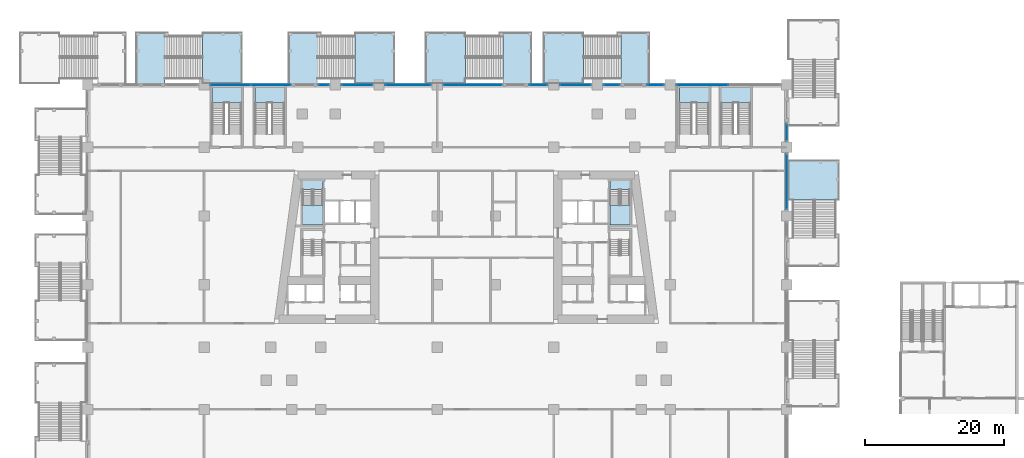
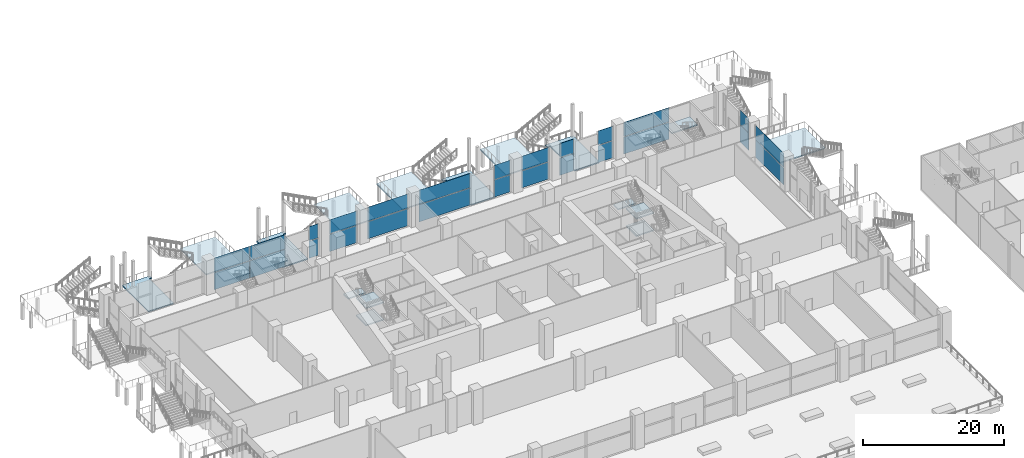
# One storey, part 17 of 47: 26 plates, 19 slabs, 23 elements without a shape of their own.
"""IFC4 building model written with IfcOpenShell, lengths in metres."""

from ifc_helpers import new_model, si_unit, direction, frame, origin, origin_2d, place, context, subcontext, project, spatial, polyline, rectangle, outline, extrude, material, layer, layer_set, type_object, element, aggregate, save


model = new_model("IFC4")

# Units and contexts
model_context = context("Model", 3, precision=1e-05, world=origin(), true_north=direction((0.0, 1.0)))
body_context = subcontext(model_context, "Body", "Model", "MODEL_VIEW")
ifc_project = project(units=[si_unit("LENGTHUNIT", "METRE"), si_unit("AREAUNIT", "SQUARE_METRE"), si_unit("VOLUMEUNIT", "CUBIC_METRE"), si_unit("PLANEANGLEUNIT", "RADIAN"), si_unit("MASSUNIT", "GRAM", prefix="KILO")], contexts=[model_context])

# Site, building, storey
site_placement = place(None, origin())
site = spatial("IfcSite", under=ifc_project, at=site_placement, CompositionType="ELEMENT")
building_placement = place(site_placement, origin())
building = spatial("IfcBuilding", under=site, at=building_placement, Name="Candeia Pilgrim Tower and Theatre", CompositionType="ELEMENT")
storey_placement = place(building_placement, frame((0.0, 0.0, 23.0)))
storey = spatial("IfcBuildingStorey", under=building, at=storey_placement, Name="L03", CompositionType="ELEMENT", Elevation=23.0)

# Curtain wall, plates
ifc_material_1 = material(Name="Aluminium framed podium glazing", Category="aluminium")
curtain_wall_type = type_object("IfcCurtainWallType", Name="CW-P curtain wall", PredefinedType="NOTDEFINED", material=ifc_material_1)
curtain_wall_1_placement = place(storey_placement, origin())
curtain_wall_1 = element("IfcCurtainWall", 1, at=curtain_wall_1_placement, inside=storey, type_object=curtain_wall_type, Name="Curtain wall CW-P L03.110", PredefinedType="NOTDEFINED")
ifc_material_2 = material(Name="Laminated low-iron glass 2 x 8 mm", Category="glass")
ifc_layer_1 = layer(ifc_material_2, 0.035888671875)
ifc_layer_set_1 = layer_set([ifc_layer_1], Name="CW-P glass panel 36")
plate_type = type_object("IfcPlateType", Name="CW-P glass panel 36", PredefinedType="CURTAIN_PANEL", material=ifc_layer_set_1)
plate_1_placement = place(storey_placement, frame((79.41259765625, 144.800048828125, 0.0), z_axis=(0.0, 0.0, 1.0), x_axis=(1.0, 0.0, 0.0)))
plate_1 = element("IfcPlate", 2, at=plate_1_placement, type_object=plate_type, Name="CW-P panel 1.1", PredefinedType="CURTAIN_PANEL", context=body_context, shape_type="SweptSolid", body=[
    extrude(rectangle(XDim=5.7451171875, YDim=0.035888671875, at=origin_2d()), origin(), (0.0, 0.0, 1.0), 2.9599609375),
])
plate_2_placement = place(storey_placement, frame((79.41259765625, 144.800048828125, 3.0400390625), z_axis=(0.0, 0.0, 1.0), x_axis=(1.0, 0.0, 0.0)))
plate_2 = element("IfcPlate", 3, at=plate_2_placement, type_object=plate_type, Name="CW-P panel 1.2", PredefinedType="CURTAIN_PANEL", context=body_context, shape_type="SweptSolid", body=[
    extrude(rectangle(XDim=5.7451171875, YDim=0.035888671875, at=origin_2d()), origin(), (0.0, 0.0, 1.0), 2.4599609375),
])
plate_3_placement = place(storey_placement, frame((85.237548828125, 144.800048828125, 0.0), z_axis=(0.0, 0.0, 1.0), x_axis=(1.0, 0.0, 0.0)))
plate_3 = element("IfcPlate", 4, at=plate_3_placement, type_object=plate_type, Name="CW-P panel 2.1", PredefinedType="CURTAIN_PANEL", context=body_context, shape_type="SweptSolid", body=[
    extrude(rectangle(XDim=5.7451171875, YDim=0.035888671875, at=origin_2d()), origin(), (0.0, 0.0, 1.0), 2.9599609375),
])
plate_4_placement = place(storey_placement, frame((85.237548828125, 144.800048828125, 3.0400390625), z_axis=(0.0, 0.0, 1.0), x_axis=(1.0, 0.0, 0.0)))
plate_4 = element("IfcPlate", 5, at=plate_4_placement, type_object=plate_type, Name="CW-P panel 2.2", PredefinedType="CURTAIN_PANEL", context=body_context, shape_type="SweptSolid", body=[
    extrude(rectangle(XDim=5.7451171875, YDim=0.035888671875, at=origin_2d()), origin(), (0.0, 0.0, 1.0), 2.4599609375),
])
aggregate(curtain_wall_1, [plate_1, plate_2, plate_3, plate_4])

curtain_wall_2_placement = place(storey_placement, origin())
curtain_wall_2 = element("IfcCurtainWall", 6, at=curtain_wall_2_placement, inside=storey, type_object=curtain_wall_type, Name="Curtain wall CW-P L03.111", PredefinedType="NOTDEFINED")
plate_5_placement = place(storey_placement, frame((92.824951171875, 144.800048828125, 0.0), z_axis=(0.0, 0.0, 1.0), x_axis=(1.0, 0.0, 0.0)))
plate_5 = element("IfcPlate", 7, at=plate_5_placement, type_object=plate_type, Name="CW-P panel 1.1", PredefinedType="CURTAIN_PANEL", context=body_context, shape_type="SweptSolid", body=[
    extrude(rectangle(XDim=1.469970703125, YDim=0.035888671875, at=origin_2d()), origin(), (0.0, 0.0, 1.0), 2.9599609375),
])
plate_6_placement = place(storey_placement, frame((92.824951171875, 144.800048828125, 3.0400390625), z_axis=(0.0, 0.0, 1.0), x_axis=(1.0, 0.0, 0.0)))
plate_6 = element("IfcPlate", 8, at=plate_6_placement, type_object=plate_type, Name="CW-P panel 1.2", PredefinedType="CURTAIN_PANEL", context=body_context, shape_type="SweptSolid", body=[
    extrude(rectangle(XDim=1.469970703125, YDim=0.035888671875, at=origin_2d()), origin(), (0.0, 0.0, 1.0), 2.4599609375),
])
aggregate(curtain_wall_2, [plate_5, plate_6])

curtain_wall_3_placement = place(storey_placement, origin())
curtain_wall_3 = element("IfcCurtainWall", 9, at=curtain_wall_3_placement, inside=storey, type_object=curtain_wall_type, Name="Curtain wall CW-P L03.120", PredefinedType="NOTDEFINED")
plate_7_placement = place(storey_placement, frame((97.64990234375, 144.800048828125, 0.0), z_axis=(0.0, 0.0, 1.0), x_axis=(1.0, 0.0, 0.0)))
plate_7 = element("IfcPlate", 10, at=plate_7_placement, type_object=plate_type, Name="CW-P panel 1.1", PredefinedType="CURTAIN_PANEL", context=body_context, shape_type="SweptSolid", body=[
    extrude(rectangle(XDim=4.419921875, YDim=0.035888671875, at=origin_2d()), origin(), (0.0, 0.0, 1.0), 2.9599609375),
])
plate_8_placement = place(storey_placement, frame((97.64990234375, 144.800048828125, 3.0400390625), z_axis=(0.0, 0.0, 1.0), x_axis=(1.0, 0.0, 0.0)))
plate_8 = element("IfcPlate", 11, at=plate_8_placement, type_object=plate_type, Name="CW-P panel 1.2", PredefinedType="CURTAIN_PANEL", context=body_context, shape_type="SweptSolid", body=[
    extrude(rectangle(XDim=4.419921875, YDim=0.035888671875, at=origin_2d()), origin(), (0.0, 0.0, 1.0), 2.4599609375),
])
aggregate(curtain_wall_3, [plate_7, plate_8])

curtain_wall_4_placement = place(storey_placement, origin())
curtain_wall_4 = element("IfcCurtainWall", 12, at=curtain_wall_4_placement, inside=storey, type_object=curtain_wall_type, Name="Curtain wall CW-P L03.130", PredefinedType="NOTDEFINED")
plate_9_placement = place(storey_placement, frame((105.0, 144.800048828125, 0.0), z_axis=(0.0, 0.0, 1.0), x_axis=(1.0, 0.0, 0.0)))
plate_9 = element("IfcPlate", 13, at=plate_9_placement, type_object=plate_type, Name="CW-P panel 1.1", PredefinedType="CURTAIN_PANEL", context=body_context, shape_type="SweptSolid", body=[
    extrude(rectangle(XDim=6.52001953125, YDim=0.035888671875, at=origin_2d()), origin(), (0.0, 0.0, 1.0), 2.9599609375),
])
plate_10_placement = place(storey_placement, frame((105.0, 144.800048828125, 3.0400390625), z_axis=(0.0, 0.0, 1.0), x_axis=(1.0, 0.0, 0.0)))
plate_10 = element("IfcPlate", 14, at=plate_10_placement, type_object=plate_type, Name="CW-P panel 1.2", PredefinedType="CURTAIN_PANEL", context=body_context, shape_type="SweptSolid", body=[
    extrude(rectangle(XDim=6.52001953125, YDim=0.035888671875, at=origin_2d()), origin(), (0.0, 0.0, 1.0), 2.4599609375),
])
aggregate(curtain_wall_4, [plate_9, plate_10])

curtain_wall_5_placement = place(storey_placement, origin())
curtain_wall_5 = element("IfcCurtainWall", 15, at=curtain_wall_5_placement, inside=storey, type_object=curtain_wall_type, Name="Curtain wall CW-P L03.140", PredefinedType="NOTDEFINED")
plate_11_placement = place(storey_placement, frame((114.324951171875, 144.800048828125, 0.0), z_axis=(0.0, 0.0, 1.0), x_axis=(1.0, 0.0, 0.0)))
plate_11 = element("IfcPlate", 16, at=plate_11_placement, type_object=plate_type, Name="CW-P panel 1.1", PredefinedType="CURTAIN_PANEL", context=body_context, shape_type="SweptSolid", body=[
    extrude(rectangle(XDim=8.3701171875, YDim=0.035888671875, at=origin_2d()), origin(), (0.0, 0.0, 1.0), 2.9599609375),
])
plate_12_placement = place(storey_placement, frame((114.324951171875, 144.800048828125, 3.0400390625), z_axis=(0.0, 0.0, 1.0), x_axis=(1.0, 0.0, 0.0)))
plate_12 = element("IfcPlate", 17, at=plate_12_placement, type_object=plate_type, Name="CW-P panel 1.2", PredefinedType="CURTAIN_PANEL", context=body_context, shape_type="SweptSolid", body=[
    extrude(rectangle(XDim=8.3701171875, YDim=0.035888671875, at=origin_2d()), origin(), (0.0, 0.0, 1.0), 2.4599609375),
])
aggregate(curtain_wall_5, [plate_11, plate_12])

curtain_wall_6_placement = place(storey_placement, origin())
curtain_wall_6 = element("IfcCurtainWall", 18, at=curtain_wall_6_placement, inside=storey, type_object=curtain_wall_type, Name="Curtain wall CW-P L03.141", PredefinedType="NOTDEFINED")
plate_13_placement = place(storey_placement, frame((123.77490234375, 144.800048828125, 0.0), z_axis=(0.0, 0.0, 1.0), x_axis=(1.0, 0.0, 0.0)))
plate_13 = element("IfcPlate", 19, at=plate_13_placement, type_object=plate_type, Name="CW-P panel 1.1", PredefinedType="CURTAIN_PANEL", context=body_context, shape_type="SweptSolid", body=[
    extrude(rectangle(XDim=2.570068359375, YDim=0.035888671875, at=origin_2d()), origin(), (0.0, 0.0, 1.0), 2.9599609375),
])
plate_14_placement = place(storey_placement, frame((123.77490234375, 144.800048828125, 3.0400390625), z_axis=(0.0, 0.0, 1.0), x_axis=(1.0, 0.0, 0.0)))
plate_14 = element("IfcPlate", 20, at=plate_14_placement, type_object=plate_type, Name="CW-P panel 1.2", PredefinedType="CURTAIN_PANEL", context=body_context, shape_type="SweptSolid", body=[
    extrude(rectangle(XDim=2.570068359375, YDim=0.035888671875, at=origin_2d()), origin(), (0.0, 0.0, 1.0), 2.4599609375),
])
aggregate(curtain_wall_6, [plate_13, plate_14])

curtain_wall_7_placement = place(storey_placement, origin())
curtain_wall_7 = element("IfcCurtainWall", 21, at=curtain_wall_7_placement, inside=storey, type_object=curtain_wall_type, Name="Curtain wall CW-P L03.150", PredefinedType="NOTDEFINED")
plate_15_placement = place(storey_placement, frame((129.14990234375, 144.800048828125, 0.0), z_axis=(0.0, 0.0, 1.0), x_axis=(1.0, 0.0, 0.0)))
plate_15 = element("IfcPlate", 22, at=plate_15_placement, type_object=plate_type, Name="CW-P panel 1.1", PredefinedType="CURTAIN_PANEL", context=body_context, shape_type="SweptSolid", body=[
    extrude(rectangle(XDim=4.419921875, YDim=0.035888671875, at=origin_2d()), origin(), (0.0, 0.0, 1.0), 2.9599609375),
])
plate_16_placement = place(storey_placement, frame((129.14990234375, 144.800048828125, 3.0400390625), z_axis=(0.0, 0.0, 1.0), x_axis=(1.0, 0.0, 0.0)))
plate_16 = element("IfcPlate", 23, at=plate_16_placement, type_object=plate_type, Name="CW-P panel 1.2", PredefinedType="CURTAIN_PANEL", context=body_context, shape_type="SweptSolid", body=[
    extrude(rectangle(XDim=4.419921875, YDim=0.035888671875, at=origin_2d()), origin(), (0.0, 0.0, 1.0), 2.4599609375),
])
aggregate(curtain_wall_7, [plate_15, plate_16])

curtain_wall_8_placement = place(storey_placement, origin())
curtain_wall_8 = element("IfcCurtainWall", 24, at=curtain_wall_8_placement, inside=storey, type_object=curtain_wall_type, Name="Curtain wall CW-P L03.160", PredefinedType="NOTDEFINED")
plate_17_placement = place(storey_placement, frame((134.375, 144.800048828125, 0.0), z_axis=(0.0, 0.0, 1.0), x_axis=(1.0, 0.0, 0.0)))
plate_17 = element("IfcPlate", 25, at=plate_17_placement, type_object=plate_type, Name="CW-P panel 1.1", PredefinedType="CURTAIN_PANEL", context=body_context, shape_type="SweptSolid", body=[
    extrude(rectangle(XDim=2.27001953125, YDim=0.035888671875, at=origin_2d()), origin(), (0.0, 0.0, 1.0), 2.9599609375),
])
plate_18_placement = place(storey_placement, frame((134.375, 144.800048828125, 3.0400390625), z_axis=(0.0, 0.0, 1.0), x_axis=(1.0, 0.0, 0.0)))
plate_18 = element("IfcPlate", 26, at=plate_18_placement, type_object=plate_type, Name="CW-P panel 1.2", PredefinedType="CURTAIN_PANEL", context=body_context, shape_type="SweptSolid", body=[
    extrude(rectangle(XDim=2.27001953125, YDim=0.035888671875, at=origin_2d()), origin(), (0.0, 0.0, 1.0), 2.4599609375),
])
aggregate(curtain_wall_8, [plate_17, plate_18])

curtain_wall_9_placement = place(storey_placement, origin())
curtain_wall_9 = element("IfcCurtainWall", 27, at=curtain_wall_9_placement, inside=storey, type_object=curtain_wall_type, Name="Curtain wall CW-P L03.161", PredefinedType="NOTDEFINED")
plate_19_placement = place(storey_placement, frame((140.675048828125, 144.800048828125, 0.0), z_axis=(0.0, 0.0, 1.0), x_axis=(1.0, 0.0, 0.0)))
plate_19 = element("IfcPlate", 28, at=plate_19_placement, type_object=plate_type, Name="CW-P panel 1.1", PredefinedType="CURTAIN_PANEL", context=body_context, shape_type="SweptSolid", body=[
    extrude(rectangle(XDim=2.3701171875, YDim=0.035888671875, at=origin_2d()), origin(), (0.0, 0.0, 1.0), 2.9599609375),
])
plate_20_placement = place(storey_placement, frame((140.675048828125, 144.800048828125, 3.0400390625), z_axis=(0.0, 0.0, 1.0), x_axis=(1.0, 0.0, 0.0)))
plate_20 = element("IfcPlate", 29, at=plate_20_placement, type_object=plate_type, Name="CW-P panel 1.2", PredefinedType="CURTAIN_PANEL", context=body_context, shape_type="SweptSolid", body=[
    extrude(rectangle(XDim=2.3701171875, YDim=0.035888671875, at=origin_2d()), origin(), (0.0, 0.0, 1.0), 2.4599609375),
])
aggregate(curtain_wall_9, [plate_19, plate_20])

curtain_wall_10_placement = place(storey_placement, origin())
curtain_wall_10 = element("IfcCurtainWall", 30, at=curtain_wall_10_placement, inside=storey, type_object=curtain_wall_type, Name="Curtain wall CW-P L03.170", PredefinedType="NOTDEFINED")
plate_21_placement = place(storey_placement, frame((147.449951171875, 144.800048828125, 0.0), z_axis=(0.0, 0.0, 1.0), x_axis=(1.0, 0.0, 0.0)))
plate_21 = element("IfcPlate", 31, at=plate_21_placement, type_object=plate_type, Name="CW-P panel 1.1", PredefinedType="CURTAIN_PANEL", context=body_context, shape_type="SweptSolid", body=[
    extrude(rectangle(XDim=7.419921875, YDim=0.035888671875, at=origin_2d()), origin(), (0.0, 0.0, 1.0), 2.9599609375),
])
plate_22_placement = place(storey_placement, frame((147.449951171875, 144.800048828125, 3.0400390625), z_axis=(0.0, 0.0, 1.0), x_axis=(1.0, 0.0, 0.0)))
plate_22 = element("IfcPlate", 32, at=plate_22_placement, type_object=plate_type, Name="CW-P panel 1.2", PredefinedType="CURTAIN_PANEL", context=body_context, shape_type="SweptSolid", body=[
    extrude(rectangle(XDim=7.419921875, YDim=0.035888671875, at=origin_2d()), origin(), (0.0, 0.0, 1.0), 2.4599609375),
])
aggregate(curtain_wall_10, [plate_21, plate_22])

curtain_wall_11_placement = place(storey_placement, origin())
curtain_wall_11 = element("IfcCurtainWall", 33, at=curtain_wall_11_placement, inside=storey, type_object=curtain_wall_type, Name="Curtain wall CW-P L03.201", PredefinedType="NOTDEFINED")
plate_23_placement = place(storey_placement, frame((159.60009765625, 137.97509765625, 0.0), z_axis=(0.0, 0.0, 1.0), x_axis=(0.0, -1.0, 0.0)))
plate_23 = element("IfcPlate", 34, at=plate_23_placement, type_object=plate_type, Name="CW-P panel 1.1", PredefinedType="CURTAIN_PANEL", context=body_context, shape_type="SweptSolid", body=[
    extrude(rectangle(XDim=2.469970703125, YDim=0.035888671875, at=origin_2d()), origin(), (0.0, 0.0, 1.0), 2.9599609375),
])
plate_24_placement = place(storey_placement, frame((159.60009765625, 137.97509765625, 3.0400390625), z_axis=(0.0, 0.0, 1.0), x_axis=(0.0, -1.0, 0.0)))
plate_24 = element("IfcPlate", 35, at=plate_24_placement, type_object=plate_type, Name="CW-P panel 1.2", PredefinedType="CURTAIN_PANEL", context=body_context, shape_type="SweptSolid", body=[
    extrude(rectangle(XDim=2.469970703125, YDim=0.035888671875, at=origin_2d()), origin(), (0.0, 0.0, 1.0), 2.4599609375),
])
aggregate(curtain_wall_11, [plate_23, plate_24])

curtain_wall_12_placement = place(storey_placement, origin())
curtain_wall_12 = element("IfcCurtainWall", 36, at=curtain_wall_12_placement, inside=storey, type_object=curtain_wall_type, Name="Curtain wall CW-P L03.210", PredefinedType="NOTDEFINED")
plate_25_placement = place(storey_placement, frame((159.60009765625, 130.85009765625, 0.0), z_axis=(0.0, 0.0, 1.0), x_axis=(0.0, -1.0, 0.0)))
plate_25 = element("IfcPlate", 37, at=plate_25_placement, type_object=plate_type, Name="CW-P panel 1.1", PredefinedType="CURTAIN_PANEL", context=body_context, shape_type="SweptSolid", body=[
    extrude(rectangle(XDim=8.02001953125, YDim=0.035888671875, at=origin_2d()), origin(), (0.0, 0.0, 1.0), 2.9599609375),
])
plate_26_placement = place(storey_placement, frame((159.60009765625, 130.85009765625, 3.0400390625), z_axis=(0.0, 0.0, 1.0), x_axis=(0.0, -1.0, 0.0)))
plate_26 = element("IfcPlate", 38, at=plate_26_placement, type_object=plate_type, Name="CW-P panel 1.2", PredefinedType="CURTAIN_PANEL", context=body_context, shape_type="SweptSolid", body=[
    extrude(rectangle(XDim=8.02001953125, YDim=0.035888671875, at=origin_2d()), origin(), (0.0, 0.0, 1.0), 2.4599609375),
])
aggregate(curtain_wall_12, [plate_25, plate_26])

# Slab
ifc_material_3 = material(Name="Concrete C40/50", Category="concrete")
ifc_layer_2 = layer(ifc_material_3, 0.199951171875)
ifc_layer_set_2 = layer_set([ifc_layer_2], Name="SL-EXT stair landing")
slab_type_1 = type_object("IfcSlabType", Name="SL-EXT stair landing", PredefinedType="LANDING", material=ifc_layer_set_2)
slab_1_placement = place(storey_placement, frame((0.0, 0.0, -0.199951171875)))
element("IfcSlab", 39, at=slab_1_placement, inside=storey, type_object=slab_type_1, Name="L03 External escape stair ES4 floor landing", PredefinedType="LANDING", context=body_context, shape_type="SweptSolid", body=[
    extrude(outline(polyline([(65.800048828125, 144.85009765625), (69.919921875, 144.85009765625), (69.919921875, 151.85009765625), (70.39990234375, 151.85009765625), (70.39990234375, 152.35009765625), (65.800048828125, 152.35009765625), (65.800048828125, 144.85009765625)])), origin(), (0.0, 0.0, 1.0), 0.199951171875),
])

# Stair, slab
stair_type_1 = type_object("IfcStairType", Name="ST-EXT external escape stair", PredefinedType="HALF_TURN_STAIR", material=ifc_material_3)
stair_1_placement = place(storey_placement, origin())
stair_1 = element("IfcStair", 40, at=stair_1_placement, inside=storey, type_object=stair_type_1, Name="L03 External escape stair ES4", PredefinedType="HALF_TURN_STAIR")
slab_2_placement = place(storey_placement, frame((0.0, 0.0, 2.800048828125)))
slab_2 = element("IfcSlab", 41, at=slab_2_placement, type_object=slab_type_1, Name="L03 External escape stair ES4 landing", PredefinedType="LANDING", context=body_context, shape_type="SweptSolid", body=[
    extrude(outline(polyline([(75.320068359375, 145.0), (81.06005859375, 145.0), (81.06005859375, 152.35009765625), (75.320068359375, 152.35009765625), (75.320068359375, 145.0)])), origin(), (0.0, 0.0, 1.0), 0.199951171875),
])
aggregate(stair_1, [slab_2])

# Slab
slab_3_placement = place(storey_placement, frame((0.0, 0.0, -0.199951171875)))
element("IfcSlab", 42, at=slab_3_placement, inside=storey, type_object=slab_type_1, Name="L03 External escape stair ES5 floor landing", PredefinedType="LANDING", context=body_context, shape_type="SweptSolid", body=[
    extrude(outline(polyline([(87.800048828125, 144.85009765625), (91.919921875, 144.85009765625), (91.919921875, 151.85009765625), (92.39990234375, 151.85009765625), (92.39990234375, 152.35009765625), (87.800048828125, 152.35009765625), (87.800048828125, 144.85009765625)])), origin(), (0.0, 0.0, 1.0), 0.199951171875),
])

# Stair, slab
stair_2_placement = place(storey_placement, origin())
stair_2 = element("IfcStair", 43, at=stair_2_placement, inside=storey, type_object=stair_type_1, Name="L03 External escape stair ES5", PredefinedType="HALF_TURN_STAIR")
slab_4_placement = place(storey_placement, frame((0.0, 0.0, 2.800048828125)))
slab_4 = element("IfcSlab", 44, at=slab_4_placement, type_object=slab_type_1, Name="L03 External escape stair ES5 landing", PredefinedType="LANDING", context=body_context, shape_type="SweptSolid", body=[
    extrude(outline(polyline([(97.320068359375, 145.0), (103.06005859375, 145.0), (103.06005859375, 152.35009765625), (97.320068359375, 152.35009765625), (97.320068359375, 145.0)])), origin(), (0.0, 0.0, 1.0), 0.199951171875),
])
aggregate(stair_2, [slab_4])

# Slab
slab_5_placement = place(storey_placement, frame((0.0, 0.0, -0.199951171875)))
element("IfcSlab", 45, at=slab_5_placement, inside=storey, type_object=slab_type_1, Name="L03 External escape stair ES6 floor landing", PredefinedType="LANDING", context=body_context, shape_type="SweptSolid", body=[
    extrude(outline(polyline([(122.800048828125, 144.85009765625), (118.679931640625, 144.85009765625), (118.679931640625, 151.85009765625), (118.199951171875, 151.85009765625), (118.199951171875, 152.35009765625), (122.800048828125, 152.35009765625), (122.800048828125, 144.85009765625)])), origin(), (0.0, 0.0, 1.0), 0.199951171875),
])

# Stair, slab
stair_3_placement = place(storey_placement, origin())
stair_3 = element("IfcStair", 46, at=stair_3_placement, inside=storey, type_object=stair_type_1, Name="L03 External escape stair ES6", PredefinedType="HALF_TURN_STAIR")
slab_6_placement = place(storey_placement, frame((0.0, 0.0, 2.800048828125)))
slab_6 = element("IfcSlab", 47, at=slab_6_placement, type_object=slab_type_1, Name="L03 External escape stair ES6 landing", PredefinedType="LANDING", context=body_context, shape_type="SweptSolid", body=[
    extrude(outline(polyline([(113.280029296875, 145.0), (107.5400390625, 145.0), (107.5400390625, 152.35009765625), (113.280029296875, 152.35009765625), (113.280029296875, 145.0)])), origin(), (0.0, 0.0, 1.0), 0.199951171875),
])
aggregate(stair_3, [slab_6])

# Slab
slab_7_placement = place(storey_placement, frame((0.0, 0.0, -0.199951171875)))
element("IfcSlab", 48, at=slab_7_placement, inside=storey, type_object=slab_type_1, Name="L03 External escape stair ES7 floor landing", PredefinedType="LANDING", context=body_context, shape_type="SweptSolid", body=[
    extrude(outline(polyline([(139.800048828125, 144.85009765625), (135.679931640625, 144.85009765625), (135.679931640625, 151.85009765625), (135.199951171875, 151.85009765625), (135.199951171875, 152.35009765625), (139.800048828125, 152.35009765625), (139.800048828125, 144.85009765625)])), origin(), (0.0, 0.0, 1.0), 0.199951171875),
])

# Stair, slab
stair_4_placement = place(storey_placement, origin())
stair_4 = element("IfcStair", 49, at=stair_4_placement, inside=storey, type_object=stair_type_1, Name="L03 External escape stair ES7", PredefinedType="HALF_TURN_STAIR")
slab_8_placement = place(storey_placement, frame((0.0, 0.0, 2.800048828125)))
slab_8 = element("IfcSlab", 50, at=slab_8_placement, type_object=slab_type_1, Name="L03 External escape stair ES7 landing", PredefinedType="LANDING", context=body_context, shape_type="SweptSolid", body=[
    extrude(outline(polyline([(130.280029296875, 145.0), (124.5400390625, 145.0), (124.5400390625, 152.35009765625), (130.280029296875, 152.35009765625), (130.280029296875, 145.0)])), origin(), (0.0, 0.0, 1.0), 0.199951171875),
])
aggregate(stair_4, [slab_8])

stair_5_placement = place(storey_placement, origin())
stair_5 = element("IfcStair", 51, at=stair_5_placement, inside=storey, type_object=stair_type_1, Name="L03 External escape stair ES14", PredefinedType="HALF_TURN_STAIR")
slab_9_placement = place(storey_placement, frame((0.0, 0.0, 2.800048828125)))
slab_9 = element("IfcSlab", 52, at=slab_9_placement, type_object=slab_type_1, Name="L03 External escape stair ES14 landing", PredefinedType="LANDING", context=body_context, shape_type="SweptSolid", body=[
    extrude(outline(polyline([(159.800048828125, 128.169921875), (159.800048828125, 133.909912109375), (167.14990234375, 133.909912109375), (167.14990234375, 128.169921875), (159.800048828125, 128.169921875)])), origin(), (0.0, 0.0, 1.0), 0.199951171875),
])
aggregate(stair_5, [slab_9])

# Stair, slabs
stair_type_2 = type_object("IfcStairType", Name="ST-TWR dog-leg escape stair", PredefinedType="HALF_TURN_STAIR", material=ifc_material_3)
stair_6_placement = place(storey_placement, origin())
stair_6 = element("IfcStair", 53, at=stair_6_placement, inside=storey, type_object=stair_type_2, Name="L03 Escape stair ST2", PredefinedType="HALF_TURN_STAIR")
ifc_layer_3 = layer(ifc_material_3, 0.199951171875)
ifc_layer_set_3 = layer_set([ifc_layer_3], Name="SL-LANDING stair landing")
slab_type_2 = type_object("IfcSlabType", Name="SL-LANDING stair landing", PredefinedType="LANDING", material=ifc_layer_set_3)
slab_10_placement = place(storey_placement, frame((0.0, 0.0, 1.300048828125)))
slab_10 = element("IfcSlab", 54, at=slab_10_placement, type_object=slab_type_2, Name="ST2 landing 1", PredefinedType="LANDING", context=body_context, shape_type="SweptSolid", body=[
    extrude(outline(polyline([(89.802001953125, 127.485107421875), (89.802001953125, 124.574951171875), (92.701904296875, 124.574951171875), (92.701904296875, 127.485107421875), (89.802001953125, 127.485107421875)])), origin(), (0.0, 0.0, 1.0), 0.199951171875),
])
slab_11_placement = place(storey_placement, frame((0.0, 0.0, 2.800048828125)))
slab_11 = element("IfcSlab", 55, at=slab_11_placement, type_object=slab_type_2, Name="ST2 landing 2", PredefinedType="LANDING", context=body_context, shape_type="SweptSolid", body=[
    extrude(outline(polyline([(89.802001953125, 131.074951171875), (89.802001953125, 129.72509765625), (92.701904296875, 129.72509765625), (92.701904296875, 131.074951171875), (89.802001953125, 131.074951171875)])), origin(), (0.0, 0.0, 1.0), 0.199951171875),
])
slab_12_placement = place(storey_placement, frame((0.0, 0.0, 4.300048828125)))
slab_12 = element("IfcSlab", 56, at=slab_12_placement, type_object=slab_type_2, Name="ST2 landing 3", PredefinedType="LANDING", context=body_context, shape_type="SweptSolid", body=[
    extrude(outline(polyline([(89.802001953125, 127.485107421875), (89.802001953125, 124.574951171875), (92.701904296875, 124.574951171875), (92.701904296875, 127.485107421875), (89.802001953125, 127.485107421875)])), origin(), (0.0, 0.0, 1.0), 0.199951171875),
])
aggregate(stair_6, [slab_10, slab_11, slab_12])

stair_7_placement = place(storey_placement, origin())
stair_7 = element("IfcStair", 57, at=stair_7_placement, inside=storey, type_object=stair_type_2, Name="L03 Escape stair ST4", PredefinedType="HALF_TURN_STAIR")
slab_13_placement = place(storey_placement, frame((0.0, 0.0, 1.300048828125)))
slab_13 = element("IfcSlab", 58, at=slab_13_placement, type_object=slab_type_2, Name="ST4 landing 1", PredefinedType="LANDING", context=body_context, shape_type="SweptSolid", body=[
    extrude(outline(polyline([(134.097900390625, 127.485107421875), (134.097900390625, 124.574951171875), (136.998046875, 124.574951171875), (136.998046875, 127.485107421875), (134.097900390625, 127.485107421875)])), origin(), (0.0, 0.0, 1.0), 0.199951171875),
])
slab_14_placement = place(storey_placement, frame((0.0, 0.0, 2.800048828125)))
slab_14 = element("IfcSlab", 59, at=slab_14_placement, type_object=slab_type_2, Name="ST4 landing 2", PredefinedType="LANDING", context=body_context, shape_type="SweptSolid", body=[
    extrude(outline(polyline([(134.097900390625, 131.074951171875), (134.097900390625, 129.72509765625), (136.998046875, 129.72509765625), (136.998046875, 131.074951171875), (134.097900390625, 131.074951171875)])), origin(), (0.0, 0.0, 1.0), 0.199951171875),
])
slab_15_placement = place(storey_placement, frame((0.0, 0.0, 4.300048828125)))
slab_15 = element("IfcSlab", 60, at=slab_15_placement, type_object=slab_type_2, Name="ST4 landing 3", PredefinedType="LANDING", context=body_context, shape_type="SweptSolid", body=[
    extrude(outline(polyline([(134.097900390625, 127.485107421875), (134.097900390625, 124.574951171875), (136.998046875, 124.574951171875), (136.998046875, 127.485107421875), (134.097900390625, 127.485107421875)])), origin(), (0.0, 0.0, 1.0), 0.199951171875),
])
aggregate(stair_7, [slab_13, slab_14, slab_15])

# Stair, slab
stair_type_3 = type_object("IfcStairType", Name="ST-POD dog-leg escape stair", PredefinedType="HALF_TURN_STAIR", material=ifc_material_3)
stair_8_placement = place(storey_placement, origin())
stair_8 = element("IfcStair", 61, at=stair_8_placement, inside=storey, type_object=stair_type_3, Name="L03 Escape stair PS1", PredefinedType="HALF_TURN_STAIR")
ifc_layer_4 = layer(ifc_material_3, 0.199951171875)
ifc_layer_set_4 = layer_set([ifc_layer_4], Name="SL-POD stair landing")
slab_type_3 = type_object("IfcSlabType", Name="SL-POD stair landing", PredefinedType="LANDING", material=ifc_layer_set_4)
slab_16_placement = place(storey_placement, frame((0.0, 0.0, 2.800048828125)))
slab_16 = element("IfcSlab", 62, at=slab_16_placement, type_object=slab_type_3, Name="PS1 landing 1", PredefinedType="LANDING", context=body_context, shape_type="SweptSolid", body=[
    extrude(outline(polyline([(80.97509765625, 142.205078125), (80.97509765625, 144.425048828125), (76.72509765625, 144.425048828125), (76.72509765625, 142.205078125), (80.97509765625, 142.205078125)])), origin(), (0.0, 0.0, 1.0), 0.199951171875),
])
aggregate(stair_8, [slab_16])

stair_9_placement = place(storey_placement, origin())
stair_9 = element("IfcStair", 63, at=stair_9_placement, inside=storey, type_object=stair_type_3, Name="L03 Escape stair PS2", PredefinedType="HALF_TURN_STAIR")
slab_17_placement = place(storey_placement, frame((0.0, 0.0, 2.800048828125)))
slab_17 = element("IfcSlab", 64, at=slab_17_placement, type_object=slab_type_3, Name="PS2 landing 1", PredefinedType="LANDING", context=body_context, shape_type="SweptSolid", body=[
    extrude(outline(polyline([(87.175048828125, 142.205078125), (87.175048828125, 144.425048828125), (82.925048828125, 144.425048828125), (82.925048828125, 142.205078125), (87.175048828125, 142.205078125)])), origin(), (0.0, 0.0, 1.0), 0.199951171875),
])
aggregate(stair_9, [slab_17])

stair_10_placement = place(storey_placement, origin())
stair_10 = element("IfcStair", 65, at=stair_10_placement, inside=storey, type_object=stair_type_3, Name="L03 Escape stair PS3", PredefinedType="HALF_TURN_STAIR")
slab_18_placement = place(storey_placement, frame((0.0, 0.0, 2.800048828125)))
slab_18 = element("IfcSlab", 66, at=slab_18_placement, type_object=slab_type_3, Name="PS3 landing 1", PredefinedType="LANDING", context=body_context, shape_type="SweptSolid", body=[
    extrude(outline(polyline([(148.375, 142.205078125), (148.375, 144.425048828125), (144.125, 144.425048828125), (144.125, 142.205078125), (148.375, 142.205078125)])), origin(), (0.0, 0.0, 1.0), 0.199951171875),
])
aggregate(stair_10, [slab_18])

stair_11_placement = place(storey_placement, origin())
stair_11 = element("IfcStair", 67, at=stair_11_placement, inside=storey, type_object=stair_type_3, Name="L03 Escape stair PS4", PredefinedType="HALF_TURN_STAIR")
slab_19_placement = place(storey_placement, frame((0.0, 0.0, 2.800048828125)))
slab_19 = element("IfcSlab", 68, at=slab_19_placement, type_object=slab_type_3, Name="PS4 landing 1", PredefinedType="LANDING", context=body_context, shape_type="SweptSolid", body=[
    extrude(outline(polyline([(154.375, 142.205078125), (154.375, 144.425048828125), (150.125, 144.425048828125), (150.125, 142.205078125), (154.375, 142.205078125)])), origin(), (0.0, 0.0, 1.0), 0.199951171875),
])
aggregate(stair_11, [slab_19])

save(model, "model.ifc")
